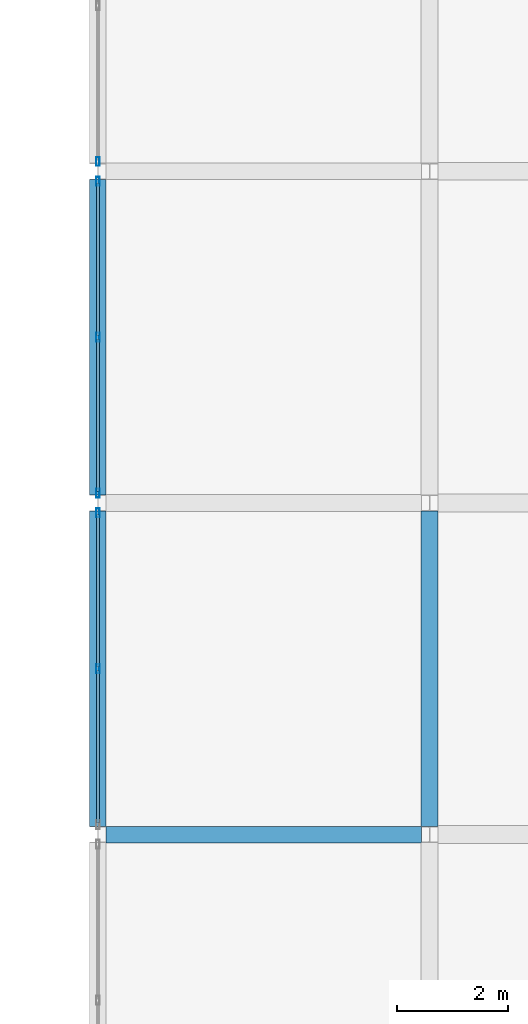
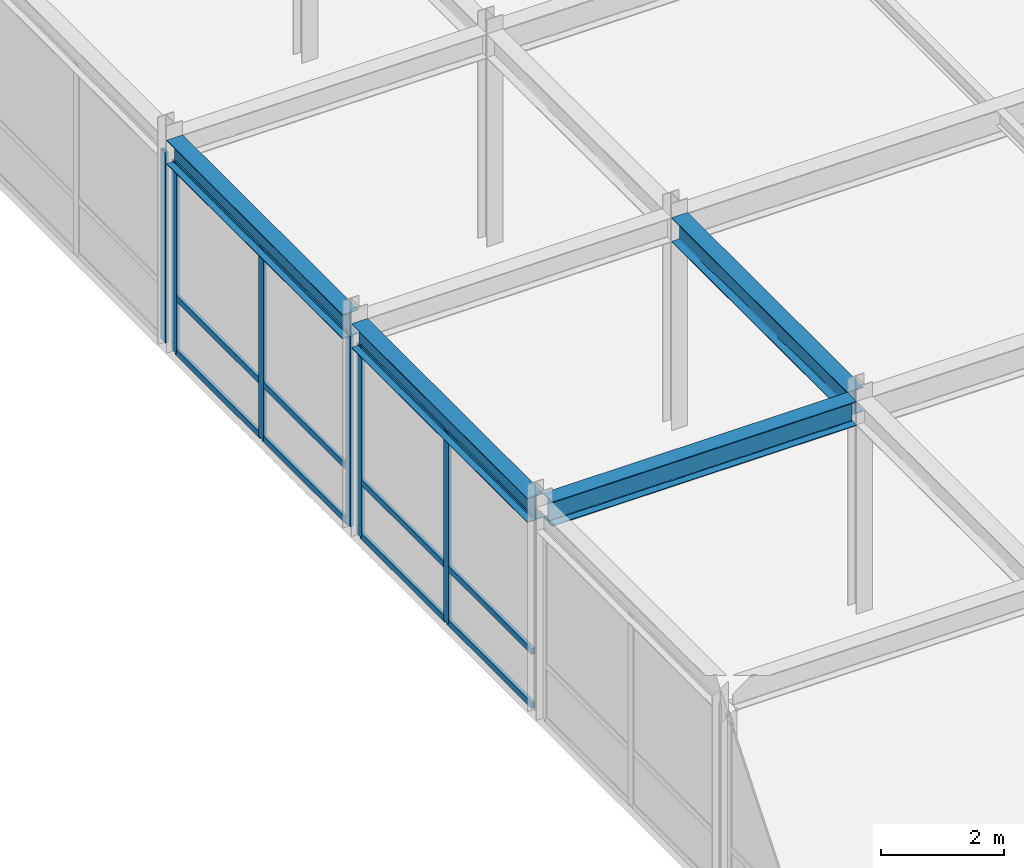
# One storey, part 85 of 108: 18 members, 4 beams, 3 elements without a shape of their own.
"""IFC4 building model written with IfcOpenShell, lengths in metres."""

from ifc_helpers import new_model, si_unit, direction, frame, origin, origin_2d, place, context, subcontext, project, spatial, hollow_rectangle, i_section, extrude, material, layer, layer_set, material_profile, profile_set, type_object, element, aggregate, save


model = new_model("IFC4")

# Units and contexts
model_context = context("Model", 3, precision=1e-05, world=origin(), true_north=direction((0.0, 1.0)))
body_context = subcontext(model_context, "Body", "Model", "MODEL_VIEW")
ifc_project = project(units=[si_unit("LENGTHUNIT", "METRE"), si_unit("AREAUNIT", "SQUARE_METRE"), si_unit("VOLUMEUNIT", "CUBIC_METRE"), si_unit("PLANEANGLEUNIT", "RADIAN"), si_unit("MASSUNIT", "GRAM", prefix="KILO")], contexts=[model_context])

# Site, building, storey
site_placement = place(None, origin())
site = spatial("IfcSite", under=ifc_project, at=site_placement, CompositionType="ELEMENT")
building_placement = place(site_placement, origin())
building = spatial("IfcBuilding", under=site, at=building_placement, Name="Zlatovratsky Civic Hall", CompositionType="ELEMENT")
storey_placement = place(building_placement, frame((0.0, 0.0, 12.0)))
storey = spatial("IfcBuildingStorey", under=building, at=storey_placement, Name="L03", CompositionType="ELEMENT", Elevation=12.0)

# Beams
ifc_material_1 = material(Name="Steel S355", Category="steel")
ifc_material_profile_1 = material_profile(ifc_material_1, i_section(OverallWidth=0.300048828125, OverallDepth=0.48193359375, WebThickness=0.010986328125, FlangeThickness=0.014892578125, FilletRadius=0.02392578125, at=origin_2d()), Name="50Sh1")
ifc_profile_set_1 = profile_set([ifc_material_profile_1], Name="Steel S355")
beam_type = type_object("IfcBeamType", Name="Beam_LibraryGirder_50Sh1", PredefinedType="BEAM", material=ifc_profile_set_1)
beam_placement = place(storey_placement, frame((150.1494140625, 42.0, 3.97900390625), z_axis=(1.0, 0.0, 0.0), x_axis=(0.0, 1.0, 0.0)))
element("IfcBeam", 1, at=beam_placement, inside=storey, type_object=beam_type, Name="BM-2573", PredefinedType="BEAM", context=body_context, shape_type="SweptSolid", body=[
    extrude(i_section(OverallWidth=0.300048828125, OverallDepth=0.48193359375, WebThickness=0.010986328125, FlangeThickness=0.014892578125, FilletRadius=0.02392578125, at=origin_2d()), origin(), (0.0, 0.0, 1.0), 5.701171875),
])
for number, where, z_axis, x_axis, name in (
    (2, (150.0, 42.14794921875, 3.97900390625), (0.0, 1.0, 0.0), (-1.0, 0.0, 0.0), "BM-3074"),
    (3, (150.0, 48.14794921875, 3.97900390625), (0.0, 1.0, 0.0), (-1.0, 0.0, 0.0), "BM-3075"),
    (4, (156.0, 42.14794921875, 3.97900390625), (0.0, 1.0, 0.0), (-1.0, 0.0, 0.0), "BM-3091"),
):
    element("IfcBeam", number, at=place(storey_placement, frame(where, z_axis=z_axis, x_axis=x_axis)), inside=storey, type_object=beam_type, Name=name, PredefinedType="BEAM", context=body_context, shape_type="SweptSolid", body=[
        extrude(i_section(OverallWidth=0.300048828125, OverallDepth=0.48193359375, WebThickness=0.010986328125, FlangeThickness=0.014892578125, FilletRadius=0.02392578125, at=origin_2d()), origin(), (0.0, 0.0, 1.0), 5.7041015625),
    ])

# Curtain wall, members
ifc_material_2 = material(Name="Anodised bronze aluminium", Category="aluminium")
ifc_layer = layer(ifc_material_2, 0.159912109375)
ifc_layer_set = layer_set([ifc_layer], Name="Anodised bronze aluminium")
curtain_wall_type = type_object("IfcCurtainWallType", Name="CurtainWall_Bronze_5700x3770_12", PredefinedType="NOTDEFINED", material=ifc_layer_set)
curtain_wall_1_placement = place(storey_placement, origin())
curtain_wall_1 = element("IfcCurtainWall", 5, at=curtain_wall_1_placement, inside=storey, type_object=curtain_wall_type, Name="CW-083", PredefinedType="NOTDEFINED")
ifc_material_profile_2 = material_profile(ifc_material_2, hollow_rectangle(XDim=0.06005859375, YDim=0.159912109375, WallThickness=0.00390625, at=origin_2d()), Name="ALU 60x160x4")
ifc_profile_set_2 = profile_set([ifc_material_profile_2], Name="Anodised bronze aluminium")
member_type_1 = type_object("IfcMemberType", Name="CW_Mullion_60x160", PredefinedType="MULLION", material=ifc_profile_set_2)
member_1_placement = place(storey_placement, frame((150.0, 45.0, 0.0), z_axis=(0.0, 0.0, 1.0), x_axis=(-1.0, 0.0, 0.0)))
member_1 = element("IfcMember", 6, at=member_1_placement, type_object=member_type_1, Name="CW-12 mullion 2", PredefinedType="MULLION", context=body_context, shape_type="SweptSolid", body=[
    extrude(hollow_rectangle(XDim=0.06005859375, YDim=0.159912109375, WallThickness=0.00390625, at=origin_2d()), origin(), (0.0, 0.0, 1.0), 3.77001953125),
])
member_2_placement = place(storey_placement, frame((150.0, 47.822021484375, 0.0), z_axis=(0.0, 0.0, 1.0), x_axis=(-1.0, 0.0, 0.0)))
member_2 = element("IfcMember", 7, at=member_2_placement, type_object=member_type_1, Name="CW-12 mullion 3", PredefinedType="MULLION", context=body_context, shape_type="SweptSolid", body=[
    extrude(hollow_rectangle(XDim=0.06005859375, YDim=0.159912109375, WallThickness=0.00390625, at=origin_2d()), origin(), (0.0, 0.0, 1.0), 3.77001953125),
])

curtain_wall_2_placement = place(storey_placement, origin())
curtain_wall_2 = element("IfcCurtainWall", 8, at=curtain_wall_2_placement, inside=storey, type_object=curtain_wall_type, Name="CW-084", PredefinedType="NOTDEFINED")
member_3_placement = place(storey_placement, frame((150.0, 48.177978515625, 0.0), z_axis=(0.0, 0.0, 1.0), x_axis=(-1.0, 0.0, 0.0)))
member_3 = element("IfcMember", 9, at=member_3_placement, type_object=member_type_1, Name="CW-12 mullion 1", PredefinedType="MULLION", context=body_context, shape_type="SweptSolid", body=[
    extrude(hollow_rectangle(XDim=0.06005859375, YDim=0.159912109375, WallThickness=0.00390625, at=origin_2d()), origin(), (0.0, 0.0, 1.0), 3.77001953125),
])
member_4_placement = place(storey_placement, frame((150.0, 51.0, 0.0), z_axis=(0.0, 0.0, 1.0), x_axis=(-1.0, 0.0, 0.0)))
member_4 = element("IfcMember", 10, at=member_4_placement, type_object=member_type_1, Name="CW-12 mullion 2", PredefinedType="MULLION", context=body_context, shape_type="SweptSolid", body=[
    extrude(hollow_rectangle(XDim=0.06005859375, YDim=0.159912109375, WallThickness=0.00390625, at=origin_2d()), origin(), (0.0, 0.0, 1.0), 3.77001953125),
])
member_5_placement = place(storey_placement, frame((150.0, 53.822021484375, 0.0), z_axis=(0.0, 0.0, 1.0), x_axis=(-1.0, 0.0, 0.0)))
member_5 = element("IfcMember", 11, at=member_5_placement, type_object=member_type_1, Name="CW-12 mullion 3", PredefinedType="MULLION", context=body_context, shape_type="SweptSolid", body=[
    extrude(hollow_rectangle(XDim=0.06005859375, YDim=0.159912109375, WallThickness=0.00390625, at=origin_2d()), origin(), (0.0, 0.0, 1.0), 3.77001953125),
])

# Curtain wall, member
curtain_wall_3_placement = place(storey_placement, origin())
curtain_wall_3 = element("IfcCurtainWall", 12, at=curtain_wall_3_placement, inside=storey, type_object=curtain_wall_type, Name="CW-085", PredefinedType="NOTDEFINED")
member_6_placement = place(storey_placement, frame((150.0, 54.177978515625, 0.0), z_axis=(0.0, 0.0, 1.0), x_axis=(-1.0, 0.0, 0.0)))
member_6 = element("IfcMember", 13, at=member_6_placement, type_object=member_type_1, Name="CW-12 mullion 1", PredefinedType="MULLION", context=body_context, shape_type="SweptSolid", body=[
    extrude(hollow_rectangle(XDim=0.06005859375, YDim=0.159912109375, WallThickness=0.00390625, at=origin_2d()), origin(), (0.0, 0.0, 1.0), 3.77001953125),
])
aggregate(curtain_wall_3, [member_6])

# Member
ifc_material_profile_3 = material_profile(ifc_material_2, hollow_rectangle(XDim=0.06005859375, YDim=0.1201171875, WallThickness=0.00390625, at=origin_2d()), Name="ALU 60x120x4")
ifc_profile_set_3 = profile_set([ifc_material_profile_3], Name="Anodised bronze aluminium")
member_type_2 = type_object("IfcMemberType", Name="CW_Transom_60x120", PredefinedType="USERDEFINED", material=ifc_profile_set_3)
member_7_placement = place(storey_placement, frame((150.0, 42.2080078125, 0.030029296875), z_axis=(0.0, 1.0, 0.0), x_axis=(-1.0, 0.0, 0.0)))
member_7 = element("IfcMember", 14, at=member_7_placement, type_object=member_type_2, Name="CW-12 transom 1.1", ObjectType="TRANSOM", PredefinedType="USERDEFINED", context=body_context, shape_type="SweptSolid", body=[
    extrude(hollow_rectangle(XDim=0.06005859375, YDim=0.1201171875, WallThickness=0.00390625, at=origin_2d()), origin(), (0.0, 0.0, 1.0), 2.761962890625),
])

member_8_placement = place(storey_placement, frame((150.0, 42.2080078125, 1.10009765625), z_axis=(0.0, 1.0, 0.0), x_axis=(-1.0, 0.0, 0.0)))
member_8 = element("IfcMember", 15, at=member_8_placement, type_object=member_type_2, Name="CW-12 transom 1.2", ObjectType="TRANSOM", PredefinedType="USERDEFINED", context=body_context, shape_type="SweptSolid", body=[
    extrude(hollow_rectangle(XDim=0.06005859375, YDim=0.1201171875, WallThickness=0.00390625, at=origin_2d()), origin(), (0.0, 0.0, 1.0), 2.761962890625),
])

member_9_placement = place(storey_placement, frame((150.0, 42.2080078125, 3.739990234375), z_axis=(0.0, 1.0, 0.0), x_axis=(-1.0, 0.0, 0.0)))
member_9 = element("IfcMember", 16, at=member_9_placement, type_object=member_type_2, Name="CW-12 transom 1.3", ObjectType="TRANSOM", PredefinedType="USERDEFINED", context=body_context, shape_type="SweptSolid", body=[
    extrude(hollow_rectangle(XDim=0.06005859375, YDim=0.1201171875, WallThickness=0.00390625, at=origin_2d()), origin(), (0.0, 0.0, 1.0), 2.761962890625),
])

member_10_placement = place(storey_placement, frame((150.0, 45.030029296875, 0.030029296875), z_axis=(0.0, 1.0, 0.0), x_axis=(-1.0, 0.0, 0.0)))
member_10 = element("IfcMember", 17, at=member_10_placement, type_object=member_type_2, Name="CW-12 transom 2.1", ObjectType="TRANSOM", PredefinedType="USERDEFINED", context=body_context, shape_type="SweptSolid", body=[
    extrude(hollow_rectangle(XDim=0.06005859375, YDim=0.1201171875, WallThickness=0.00390625, at=origin_2d()), origin(), (0.0, 0.0, 1.0), 2.761962890625),
])

member_11_placement = place(storey_placement, frame((150.0, 45.030029296875, 1.10009765625), z_axis=(0.0, 1.0, 0.0), x_axis=(-1.0, 0.0, 0.0)))
member_11 = element("IfcMember", 18, at=member_11_placement, type_object=member_type_2, Name="CW-12 transom 2.2", ObjectType="TRANSOM", PredefinedType="USERDEFINED", context=body_context, shape_type="SweptSolid", body=[
    extrude(hollow_rectangle(XDim=0.06005859375, YDim=0.1201171875, WallThickness=0.00390625, at=origin_2d()), origin(), (0.0, 0.0, 1.0), 2.761962890625),
])

member_12_placement = place(storey_placement, frame((150.0, 45.030029296875, 3.739990234375), z_axis=(0.0, 1.0, 0.0), x_axis=(-1.0, 0.0, 0.0)))
member_12 = element("IfcMember", 19, at=member_12_placement, type_object=member_type_2, Name="CW-12 transom 2.3", ObjectType="TRANSOM", PredefinedType="USERDEFINED", context=body_context, shape_type="SweptSolid", body=[
    extrude(hollow_rectangle(XDim=0.06005859375, YDim=0.1201171875, WallThickness=0.00390625, at=origin_2d()), origin(), (0.0, 0.0, 1.0), 2.761962890625),
])

aggregate(curtain_wall_1, [member_1, member_2, member_7, member_8, member_9, member_10, member_11, member_12])

member_13_placement = place(storey_placement, frame((150.0, 48.2080078125, 0.030029296875), z_axis=(0.0, 1.0, 0.0), x_axis=(-1.0, 0.0, 0.0)))
member_13 = element("IfcMember", 20, at=member_13_placement, type_object=member_type_2, Name="CW-12 transom 1.1", ObjectType="TRANSOM", PredefinedType="USERDEFINED", context=body_context, shape_type="SweptSolid", body=[
    extrude(hollow_rectangle(XDim=0.06005859375, YDim=0.1201171875, WallThickness=0.00390625, at=origin_2d()), origin(), (0.0, 0.0, 1.0), 2.761962890625),
])

member_14_placement = place(storey_placement, frame((150.0, 48.2080078125, 1.10009765625), z_axis=(0.0, 1.0, 0.0), x_axis=(-1.0, 0.0, 0.0)))
member_14 = element("IfcMember", 21, at=member_14_placement, type_object=member_type_2, Name="CW-12 transom 1.2", ObjectType="TRANSOM", PredefinedType="USERDEFINED", context=body_context, shape_type="SweptSolid", body=[
    extrude(hollow_rectangle(XDim=0.06005859375, YDim=0.1201171875, WallThickness=0.00390625, at=origin_2d()), origin(), (0.0, 0.0, 1.0), 2.761962890625),
])

member_15_placement = place(storey_placement, frame((150.0, 48.2080078125, 3.739990234375), z_axis=(0.0, 1.0, 0.0), x_axis=(-1.0, 0.0, 0.0)))
member_15 = element("IfcMember", 22, at=member_15_placement, type_object=member_type_2, Name="CW-12 transom 1.3", ObjectType="TRANSOM", PredefinedType="USERDEFINED", context=body_context, shape_type="SweptSolid", body=[
    extrude(hollow_rectangle(XDim=0.06005859375, YDim=0.1201171875, WallThickness=0.00390625, at=origin_2d()), origin(), (0.0, 0.0, 1.0), 2.761962890625),
])

member_16_placement = place(storey_placement, frame((150.0, 51.030029296875, 0.030029296875), z_axis=(0.0, 1.0, 0.0), x_axis=(-1.0, 0.0, 0.0)))
member_16 = element("IfcMember", 23, at=member_16_placement, type_object=member_type_2, Name="CW-12 transom 2.1", ObjectType="TRANSOM", PredefinedType="USERDEFINED", context=body_context, shape_type="SweptSolid", body=[
    extrude(hollow_rectangle(XDim=0.06005859375, YDim=0.1201171875, WallThickness=0.00390625, at=origin_2d()), origin(), (0.0, 0.0, 1.0), 2.761962890625),
])

member_17_placement = place(storey_placement, frame((150.0, 51.030029296875, 1.10009765625), z_axis=(0.0, 1.0, 0.0), x_axis=(-1.0, 0.0, 0.0)))
member_17 = element("IfcMember", 24, at=member_17_placement, type_object=member_type_2, Name="CW-12 transom 2.2", ObjectType="TRANSOM", PredefinedType="USERDEFINED", context=body_context, shape_type="SweptSolid", body=[
    extrude(hollow_rectangle(XDim=0.06005859375, YDim=0.1201171875, WallThickness=0.00390625, at=origin_2d()), origin(), (0.0, 0.0, 1.0), 2.761962890625),
])

member_18_placement = place(storey_placement, frame((150.0, 51.030029296875, 3.739990234375), z_axis=(0.0, 1.0, 0.0), x_axis=(-1.0, 0.0, 0.0)))
member_18 = element("IfcMember", 25, at=member_18_placement, type_object=member_type_2, Name="CW-12 transom 2.3", ObjectType="TRANSOM", PredefinedType="USERDEFINED", context=body_context, shape_type="SweptSolid", body=[
    extrude(hollow_rectangle(XDim=0.06005859375, YDim=0.1201171875, WallThickness=0.00390625, at=origin_2d()), origin(), (0.0, 0.0, 1.0), 2.761962890625),
])

aggregate(curtain_wall_2, [member_3, member_4, member_5, member_13, member_14, member_15, member_16, member_17, member_18])

save(model, "model.ifc")
